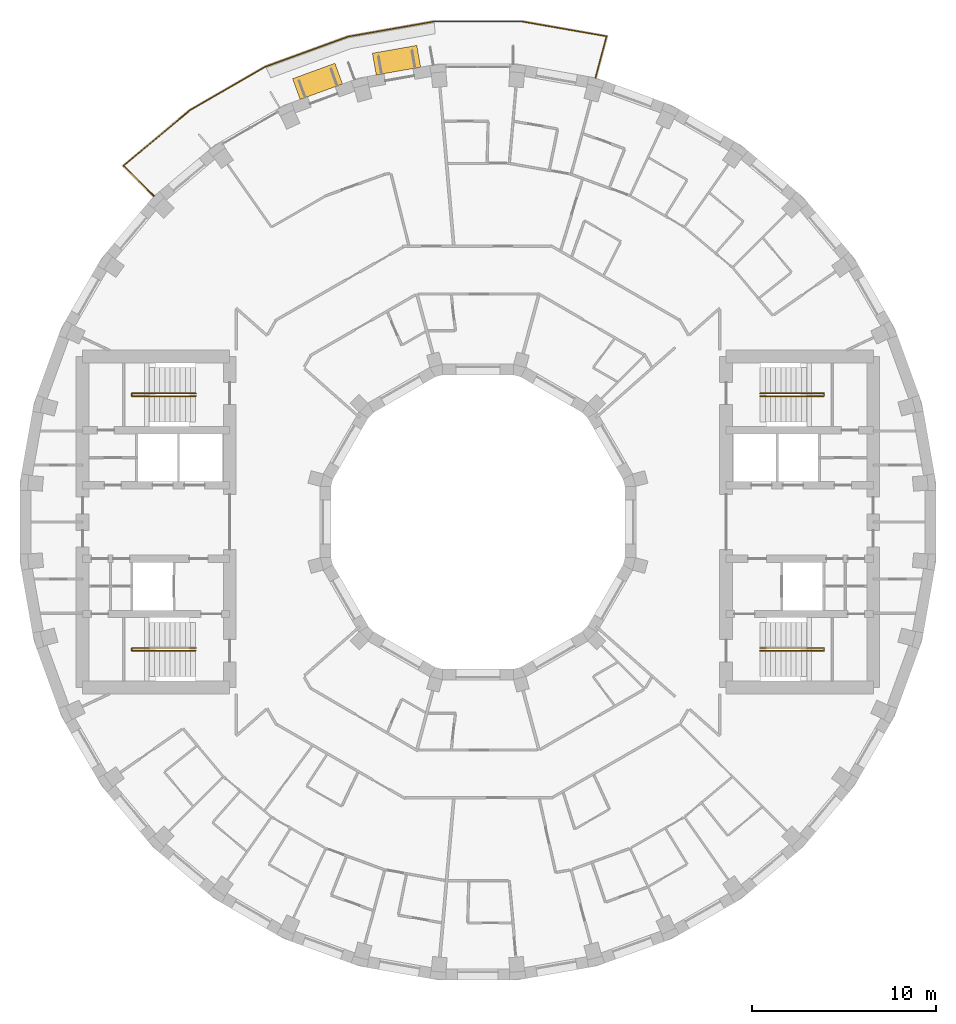
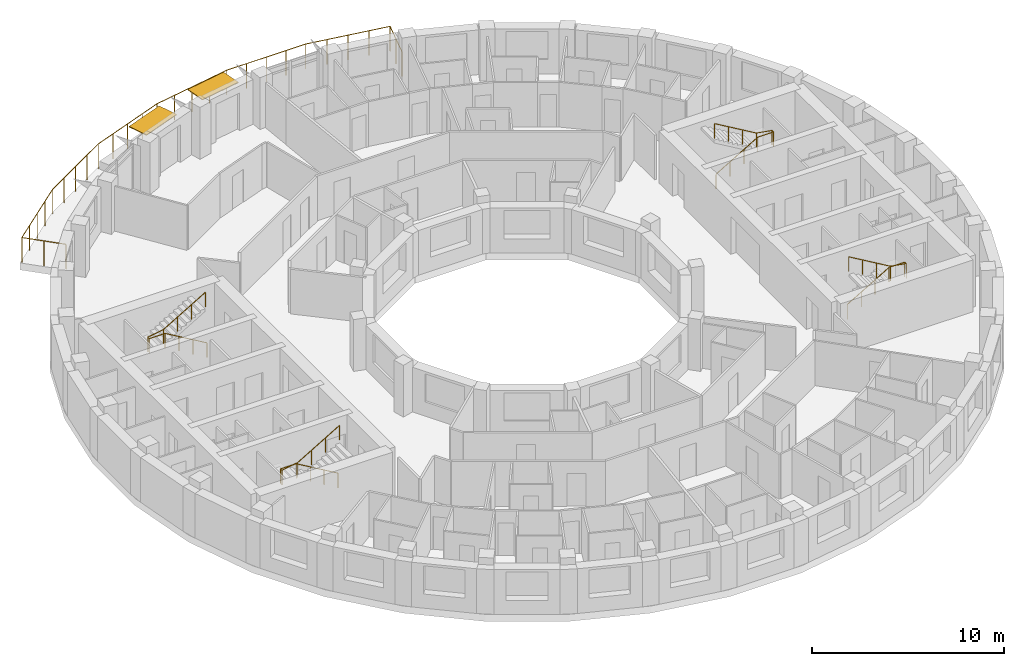
# One storey, part 14 of 14: 5 railings, 2 shading devices.
"""IFC4 building model written with IfcOpenShell, lengths in metres."""

from ifc_helpers import new_model, si_unit, direction, frame, origin, origin_2d, place, context, subcontext, project, spatial, rectangle, circle, extrude, material, layer, layer_set, type_object, element, save


model = new_model("IFC4")

# Units and contexts
model_context = context("Model", 3, precision=1e-05, world=origin(), true_north=direction((0.0, 1.0)))
body_context = subcontext(model_context, "Body", "Model", "MODEL_VIEW")
ifc_project = project(units=[si_unit("LENGTHUNIT", "METRE"), si_unit("AREAUNIT", "SQUARE_METRE"), si_unit("VOLUMEUNIT", "CUBIC_METRE"), si_unit("PLANEANGLEUNIT", "RADIAN"), si_unit("MASSUNIT", "GRAM", prefix="KILO")], contexts=[model_context])

# Site, building, storey
site_placement = place(None, origin())
site = spatial("IfcSite", under=ifc_project, at=site_placement, CompositionType="ELEMENT")
building_placement = place(site_placement, origin())
building = spatial("IfcBuilding", under=site, at=building_placement, Name="Saqina Gate Tower", CompositionType="ELEMENT")
storey_placement = place(building_placement, frame((0.0, 0.0, 210.300048828125)))
storey = spatial("IfcBuildingStorey", under=building, at=storey_placement, Name="L60", CompositionType="ELEMENT", Elevation=210.300048828125)

# Shading devices
ifc_material_1 = material(Name="Aluminium and fabric awning", Category="aluminium")
ifc_layer = layer(ifc_material_1, 0.050048828125)
ifc_layer_set = layer_set([ifc_layer], Name="AW-TERRACE")
shading_device_type = type_object("IfcShadingDeviceType", Name="AW-TERRACE", PredefinedType="AWNING", material=ifc_layer_set)
for number, where, z_axis, x_axis, name in (
    (1, (-4.428955078125, 25.117431640625, 2.52490234375), (0.0, 0.0, 1.0), (-0.984807753012, -0.173648177667, 0.0), "Terrace awning L60 facet 10"),
    (2, (-8.72314453125, 23.966796875, 2.52490234375), (0.0, 0.0, 1.0), (-0.939692620786, -0.342020143326, 0.0), "Terrace awning L60 facet 11"),
):
    element("IfcShadingDevice", number, at=place(storey_placement, frame(where, z_axis=z_axis, x_axis=x_axis)), inside=storey, type_object=shading_device_type, Name=name, PredefinedType="AWNING", context=body_context, shape_type="SweptSolid", body=[
        extrude(rectangle(XDim=2.44970703125, YDim=1.199951171875, at=origin_2d()), origin(), (0.0, 0.0, 1.0), 0.050048828125),
    ])

# Railings
ifc_material_2 = material(Name="Stainless steel", Category="steel")
railing_type_1 = type_object("IfcRailingType", Name="RL-TERRACE", PredefinedType="GUARDRAIL", material=ifc_material_2)
railing_1_placement = place(storey_placement, frame((6.377685546875, 24.11083984375, 0.0)))
element("IfcRailing", 3, at=railing_1_placement, inside=storey, type_object=railing_type_1, Name="Terrace guard L60", PredefinedType="GUARDRAIL", context=body_context, shape_type="SweptSolid", body=[
    extrude(circle(Radius=0.02392578125, at=origin_2d()), frame((0.0, 0.0, 1.576171875), z_axis=(0.258851866296, 0.965917031279, 0.0), x_axis=(-0.965917031279, 0.258851866296, 0.0)), (0.0, 0.0, 1.0), 2.38916015625),
    extrude(circle(Radius=0.02392578125, at=origin_2d()), frame((0.618408203125, 2.3076171875, 1.576171875), z_axis=(-0.985070265823, 0.17215275598, 0.0), x_axis=(-0.17215275598, -0.985070265823, 0.0)), (0.0, 0.0, 1.0), 4.68408203125),
    extrude(circle(Radius=0.02392578125, at=origin_2d()), frame((-3.995849609375, 3.114013671875, 1.576171875), z_axis=(-1.0, 0.0, 0.0), x_axis=(0.0, -1.0, 0.0)), (0.0, 0.0, 1.0), 4.763671875),
    extrude(circle(Radius=0.02392578125, at=origin_2d()), frame((-8.759521484375, 3.114013671875, 1.576171875), z_axis=(-0.98481037568, -0.173633303123, 0.0), x_axis=(0.173633303123, -0.98481037568, 0.0)), (0.0, 0.0, 1.0), 4.763671875),
    extrude(circle(Radius=0.02392578125, at=origin_2d()), frame((-13.450927734375, 2.286865234375, 1.576171875), z_axis=(-0.939688638318, -0.342031084868, 0.0), x_axis=(0.342031084868, -0.939688638318, 0.0)), (0.0, 0.0, 1.0), 4.763916015625),
    extrude(circle(Radius=0.02392578125, at=origin_2d()), frame((-17.927490234375, 0.657470703125, 1.576171875), z_axis=(-0.866026842905, -0.499997507361, 0.0), x_axis=(0.499997507361, -0.866026842905, 0.0)), (0.0, 0.0, 1.0), 4.763671875),
    extrude(circle(Radius=0.02392578125, at=origin_2d()), frame((-22.052978515625, -1.724365234375, 1.576171875), z_axis=(-0.767002243016, -0.641644418045, 0.0), x_axis=(0.641644418045, -0.767002243016, 0.0)), (0.0, 0.0, 1.0), 4.683837890625),
    extrude(circle(Radius=0.02392578125, at=origin_2d()), frame((-25.6455078125, -4.729736328125, 1.576171875), z_axis=(0.707106781187, -0.707106781187, 0.0), x_axis=(0.707106781187, 0.707106781187, 0.0)), (0.0, 0.0, 1.0), 2.388916015625),
    extrude(circle(Radius=0.02099609375, at=origin_2d()), origin(), (0.0, 0.0, 1.0), 1.552001953125),
    extrude(circle(Radius=0.02099609375, at=origin_2d()), frame((0.30908203125, 1.15380859375, 0.0)), (0.0, 0.0, 1.0), 1.552001953125),
    extrude(circle(Radius=0.02099609375, at=origin_2d()), frame((0.618408203125, 2.3076171875, 0.0)), (0.0, 0.0, 1.0), 1.552001953125),
    extrude(circle(Radius=0.02099609375, at=origin_2d()), frame((-0.53515625, 2.50927734375, 0.0)), (0.0, 0.0, 1.0), 1.552001953125),
    extrude(circle(Radius=0.02099609375, at=origin_2d()), frame((-1.688720703125, 2.7109375, 0.0)), (0.0, 0.0, 1.0), 1.552001953125),
    extrude(circle(Radius=0.02099609375, at=origin_2d()), frame((-2.84228515625, 2.912353515625, 0.0)), (0.0, 0.0, 1.0), 1.552001953125),
    extrude(circle(Radius=0.02099609375, at=origin_2d()), frame((-3.995849609375, 3.114013671875, 0.0)), (0.0, 0.0, 1.0), 1.552001953125),
    extrude(circle(Radius=0.02099609375, at=origin_2d()), frame((-5.186767578125, 3.114013671875, 0.0)), (0.0, 0.0, 1.0), 1.552001953125),
    extrude(circle(Radius=0.02099609375, at=origin_2d()), frame((-6.377685546875, 3.114013671875, 0.0)), (0.0, 0.0, 1.0), 1.552001953125),
    extrude(circle(Radius=0.02099609375, at=origin_2d()), frame((-7.568603515625, 3.114013671875, 0.0)), (0.0, 0.0, 1.0), 1.552001953125),
    extrude(circle(Radius=0.02099609375, at=origin_2d()), frame((-8.759521484375, 3.114013671875, 0.0)), (0.0, 0.0, 1.0), 1.552001953125),
    extrude(circle(Radius=0.02099609375, at=origin_2d()), frame((-9.932373046875, 2.9072265625, 0.0)), (0.0, 0.0, 1.0), 1.552001953125),
    extrude(circle(Radius=0.02099609375, at=origin_2d()), frame((-11.105224609375, 2.700439453125, 0.0)), (0.0, 0.0, 1.0), 1.552001953125),
    extrude(circle(Radius=0.02099609375, at=origin_2d()), frame((-12.278076171875, 2.49365234375, 0.0)), (0.0, 0.0, 1.0), 1.552001953125),
    extrude(circle(Radius=0.02099609375, at=origin_2d()), frame((-13.450927734375, 2.286865234375, 0.0)), (0.0, 0.0, 1.0), 1.552001953125),
    extrude(circle(Radius=0.02099609375, at=origin_2d()), frame((-14.570068359375, 1.87939453125, 0.0)), (0.0, 0.0, 1.0), 1.552001953125),
    extrude(circle(Radius=0.02099609375, at=origin_2d()), frame((-15.689208984375, 1.47216796875, 0.0)), (0.0, 0.0, 1.0), 1.552001953125),
    extrude(circle(Radius=0.02099609375, at=origin_2d()), frame((-16.808349609375, 1.06494140625, 0.0)), (0.0, 0.0, 1.0), 1.552001953125),
    extrude(circle(Radius=0.02099609375, at=origin_2d()), frame((-17.927490234375, 0.657470703125, 0.0)), (0.0, 0.0, 1.0), 1.552001953125),
    extrude(circle(Radius=0.02099609375, at=origin_2d()), frame((-18.958984375, 0.06201171875, 0.0)), (0.0, 0.0, 1.0), 1.552001953125),
    extrude(circle(Radius=0.02099609375, at=origin_2d()), frame((-19.990234375, -0.533447265625, 0.0)), (0.0, 0.0, 1.0), 1.552001953125),
    extrude(circle(Radius=0.02099609375, at=origin_2d()), frame((-21.021484375, -1.12890625, 0.0)), (0.0, 0.0, 1.0), 1.552001953125),
    extrude(circle(Radius=0.02099609375, at=origin_2d()), frame((-22.052978515625, -1.724365234375, 0.0)), (0.0, 0.0, 1.0), 1.552001953125),
    extrude(circle(Radius=0.02099609375, at=origin_2d()), frame((-22.951171875, -2.4755859375, 0.0)), (0.0, 0.0, 1.0), 1.552001953125),
    extrude(circle(Radius=0.02099609375, at=origin_2d()), frame((-23.84912109375, -3.22705078125, 0.0)), (0.0, 0.0, 1.0), 1.552001953125),
    extrude(circle(Radius=0.02099609375, at=origin_2d()), frame((-24.747314453125, -3.978515625, 0.0)), (0.0, 0.0, 1.0), 1.552001953125),
    extrude(circle(Radius=0.02099609375, at=origin_2d()), frame((-25.6455078125, -4.729736328125, 0.0)), (0.0, 0.0, 1.0), 1.552001953125),
    extrude(circle(Radius=0.02099609375, at=origin_2d()), frame((-24.80078125, -5.57421875, 0.0)), (0.0, 0.0, 1.0), 1.552001953125),
    extrude(circle(Radius=0.02099609375, at=origin_2d()), frame((-23.956298828125, -6.4189453125, 0.0)), (0.0, 0.0, 1.0), 1.552001953125),
])
ifc_material_3 = material(Name="Stainless steel", Category="steel")
railing_type_2 = type_object("IfcRailingType", Name="STAIR HANDRAIL", PredefinedType="HANDRAIL", material=ifc_material_3)
railing_2_placement = place(storey_placement, frame((15.35009765625, 6.85009765625, 0.1650390625)))
element("IfcRailing", 4, at=railing_2_placement, inside=storey, type_object=railing_type_2, Name="EXIT STAIR 1 HANDRAIL", PredefinedType="HANDRAIL", context=body_context, shape_type="SweptSolid", body=[
    extrude(circle(Radius=0.02392578125, at=origin_2d()), frame((0.0, 0.0, 0.92578125), z_axis=(0.861560626758, 0.0, 0.507654692109), x_axis=(0.0, 1.0, 0.0)), (0.0, 0.0, 1.0), 2.925048828125),
    extrude(circle(Radius=0.02392578125, at=origin_2d()), frame((2.52001953125, 0.0, 2.41064453125), z_axis=(1.0, 0.0, 0.0), x_axis=(0.0, 1.0, 0.0)), (0.0, 0.0, 1.0), 0.949951171875),
    extrude(circle(Radius=0.02392578125, at=origin_2d()), frame((3.469970703125, 0.0, 2.41064453125), z_axis=(0.0, 1.0, 0.0), x_axis=(-1.0, 0.0, 0.0)), (0.0, 0.0, 1.0), 0.14990234375),
    extrude(circle(Radius=0.02392578125, at=origin_2d()), frame((3.469970703125, 0.14990234375, 2.41064453125), z_axis=(-0.985241474778, 0.0, 0.171170197109), x_axis=(0.0, -1.0, 0.0)), (0.0, 0.0, 1.0), 0.964111328125),
    extrude(circle(Radius=0.02392578125, at=origin_2d()), frame((2.52001953125, 0.14990234375, 2.57568359375), z_axis=(-0.86152411907, 0.0, 0.507716645641), x_axis=(0.0, -1.0, 0.0)), (0.0, 0.0, 1.0), 2.925048828125),
    extrude(circle(Radius=0.02099609375, at=origin_2d()), origin(), (0.0, 0.0, 1.0), 0.90185546875),
    extrude(circle(Radius=0.02099609375, at=origin_2d()), frame((0.840087890625, 0.0, 0.494873046875)), (0.0, 0.0, 1.0), 0.90185546875),
    extrude(circle(Radius=0.02099609375, at=origin_2d()), frame((1.679931640625, 0.0, 0.989990234375)), (0.0, 0.0, 1.0), 0.90185546875),
    extrude(circle(Radius=0.02099609375, at=origin_2d()), frame((2.52001953125, 0.0, 1.48486328125)), (0.0, 0.0, 1.0), 0.90185546875),
    extrude(circle(Radius=0.02099609375, at=origin_2d()), frame((3.469970703125, 0.0, 1.48486328125)), (0.0, 0.0, 1.0), 0.90185546875),
    extrude(circle(Radius=0.02099609375, at=origin_2d()), frame((3.469970703125, 0.14990234375, 1.48486328125)), (0.0, 0.0, 1.0), 0.90185546875),
    extrude(circle(Radius=0.02099609375, at=origin_2d()), frame((2.52001953125, 0.14990234375, 1.64990234375)), (0.0, 0.0, 1.0), 0.90185546875),
    extrude(circle(Radius=0.02099609375, at=origin_2d()), frame((1.679931640625, 0.14990234375, 2.14501953125)), (0.0, 0.0, 1.0), 0.90185546875),
    extrude(circle(Radius=0.02099609375, at=origin_2d()), frame((0.840087890625, 0.14990234375, 2.639892578125)), (0.0, 0.0, 1.0), 0.90185546875),
    extrude(circle(Radius=0.02099609375, at=origin_2d()), frame((0.0, 0.14990234375, 3.135009765625)), (0.0, 0.0, 1.0), 0.90185546875),
])
railing_3_placement = place(storey_placement, frame((15.35009765625, -6.85009765625, 0.1650390625)))
element("IfcRailing", 5, at=railing_3_placement, inside=storey, type_object=railing_type_2, Name="EXIT STAIR 2 HANDRAIL", PredefinedType="HANDRAIL", context=body_context, shape_type="SweptSolid", body=[
    extrude(circle(Radius=0.02392578125, at=origin_2d()), frame((0.0, 0.0, 0.92578125), z_axis=(0.861560626758, 0.0, 0.507654692109), x_axis=(0.0, 1.0, 0.0)), (0.0, 0.0, 1.0), 2.925048828125),
    extrude(circle(Radius=0.02392578125, at=origin_2d()), frame((2.52001953125, 0.0, 2.41064453125), z_axis=(1.0, 0.0, 0.0), x_axis=(0.0, 1.0, 0.0)), (0.0, 0.0, 1.0), 0.949951171875),
    extrude(circle(Radius=0.02392578125, at=origin_2d()), frame((3.469970703125, 0.0, 2.41064453125), z_axis=(0.0, -1.0, 0.0), x_axis=(1.0, 0.0, 0.0)), (0.0, 0.0, 1.0), 0.14990234375),
    extrude(circle(Radius=0.02392578125, at=origin_2d()), frame((3.469970703125, -0.14990234375, 2.41064453125), z_axis=(-0.985241474778, 0.0, 0.171170197109), x_axis=(0.0, -1.0, 0.0)), (0.0, 0.0, 1.0), 0.964111328125),
    extrude(circle(Radius=0.02392578125, at=origin_2d()), frame((2.52001953125, -0.14990234375, 2.57568359375), z_axis=(-0.86152411907, 0.0, 0.507716645641), x_axis=(0.0, -1.0, 0.0)), (0.0, 0.0, 1.0), 2.925048828125),
    extrude(circle(Radius=0.02099609375, at=origin_2d()), origin(), (0.0, 0.0, 1.0), 0.90185546875),
    extrude(circle(Radius=0.02099609375, at=origin_2d()), frame((0.840087890625, 0.0, 0.494873046875)), (0.0, 0.0, 1.0), 0.90185546875),
    extrude(circle(Radius=0.02099609375, at=origin_2d()), frame((1.679931640625, 0.0, 0.989990234375)), (0.0, 0.0, 1.0), 0.90185546875),
    extrude(circle(Radius=0.02099609375, at=origin_2d()), frame((2.52001953125, 0.0, 1.48486328125)), (0.0, 0.0, 1.0), 0.90185546875),
    extrude(circle(Radius=0.02099609375, at=origin_2d()), frame((3.469970703125, 0.0, 1.48486328125)), (0.0, 0.0, 1.0), 0.90185546875),
    extrude(circle(Radius=0.02099609375, at=origin_2d()), frame((3.469970703125, -0.14990234375, 1.48486328125)), (0.0, 0.0, 1.0), 0.90185546875),
    extrude(circle(Radius=0.02099609375, at=origin_2d()), frame((2.52001953125, -0.14990234375, 1.64990234375)), (0.0, 0.0, 1.0), 0.90185546875),
    extrude(circle(Radius=0.02099609375, at=origin_2d()), frame((1.679931640625, -0.14990234375, 2.14501953125)), (0.0, 0.0, 1.0), 0.90185546875),
    extrude(circle(Radius=0.02099609375, at=origin_2d()), frame((0.840087890625, -0.14990234375, 2.639892578125)), (0.0, 0.0, 1.0), 0.90185546875),
    extrude(circle(Radius=0.02099609375, at=origin_2d()), frame((0.0, -0.14990234375, 3.135009765625)), (0.0, 0.0, 1.0), 0.90185546875),
])
railing_4_placement = place(storey_placement, frame((-15.35009765625, 6.85009765625, 0.1650390625)))
element("IfcRailing", 6, at=railing_4_placement, inside=storey, type_object=railing_type_2, Name="EXIT STAIR 3 HANDRAIL", PredefinedType="HANDRAIL", context=body_context, shape_type="SweptSolid", body=[
    extrude(circle(Radius=0.02392578125, at=origin_2d()), frame((0.0, 0.0, 0.92578125), z_axis=(-0.861560626758, 0.0, 0.507654692109), x_axis=(0.0, -1.0, 0.0)), (0.0, 0.0, 1.0), 2.925048828125),
    extrude(circle(Radius=0.02392578125, at=origin_2d()), frame((-2.52001953125, 0.0, 2.41064453125), z_axis=(-1.0, 0.0, 0.0), x_axis=(0.0, -1.0, 0.0)), (0.0, 0.0, 1.0), 0.949951171875),
    extrude(circle(Radius=0.02392578125, at=origin_2d()), frame((-3.469970703125, 0.0, 2.41064453125), z_axis=(0.0, 1.0, 0.0), x_axis=(-1.0, 0.0, 0.0)), (0.0, 0.0, 1.0), 0.14990234375),
    extrude(circle(Radius=0.02392578125, at=origin_2d()), frame((-3.469970703125, 0.14990234375, 2.41064453125), z_axis=(0.985241474778, 0.0, 0.171170197109), x_axis=(0.0, 1.0, 0.0)), (0.0, 0.0, 1.0), 0.964111328125),
    extrude(circle(Radius=0.02392578125, at=origin_2d()), frame((-2.52001953125, 0.14990234375, 2.57568359375), z_axis=(0.86152411907, 0.0, 0.507716645641), x_axis=(0.0, 1.0, 0.0)), (0.0, 0.0, 1.0), 2.925048828125),
    extrude(circle(Radius=0.02099609375, at=origin_2d()), origin(), (0.0, 0.0, 1.0), 0.90185546875),
    extrude(circle(Radius=0.02099609375, at=origin_2d()), frame((-0.840087890625, 0.0, 0.494873046875)), (0.0, 0.0, 1.0), 0.90185546875),
    extrude(circle(Radius=0.02099609375, at=origin_2d()), frame((-1.679931640625, 0.0, 0.989990234375)), (0.0, 0.0, 1.0), 0.90185546875),
    extrude(circle(Radius=0.02099609375, at=origin_2d()), frame((-2.52001953125, 0.0, 1.48486328125)), (0.0, 0.0, 1.0), 0.90185546875),
    extrude(circle(Radius=0.02099609375, at=origin_2d()), frame((-3.469970703125, 0.0, 1.48486328125)), (0.0, 0.0, 1.0), 0.90185546875),
    extrude(circle(Radius=0.02099609375, at=origin_2d()), frame((-3.469970703125, 0.14990234375, 1.48486328125)), (0.0, 0.0, 1.0), 0.90185546875),
    extrude(circle(Radius=0.02099609375, at=origin_2d()), frame((-2.52001953125, 0.14990234375, 1.64990234375)), (0.0, 0.0, 1.0), 0.90185546875),
    extrude(circle(Radius=0.02099609375, at=origin_2d()), frame((-1.679931640625, 0.14990234375, 2.14501953125)), (0.0, 0.0, 1.0), 0.90185546875),
    extrude(circle(Radius=0.02099609375, at=origin_2d()), frame((-0.840087890625, 0.14990234375, 2.639892578125)), (0.0, 0.0, 1.0), 0.90185546875),
    extrude(circle(Radius=0.02099609375, at=origin_2d()), frame((0.0, 0.14990234375, 3.135009765625)), (0.0, 0.0, 1.0), 0.90185546875),
])
railing_5_placement = place(storey_placement, frame((-15.35009765625, -6.85009765625, 0.1650390625)))
element("IfcRailing", 7, at=railing_5_placement, inside=storey, type_object=railing_type_2, Name="EXIT STAIR 4 HANDRAIL", PredefinedType="HANDRAIL", context=body_context, shape_type="SweptSolid", body=[
    extrude(circle(Radius=0.02392578125, at=origin_2d()), frame((0.0, 0.0, 0.92578125), z_axis=(-0.861560626758, 0.0, 0.507654692109), x_axis=(0.0, -1.0, 0.0)), (0.0, 0.0, 1.0), 2.925048828125),
    extrude(circle(Radius=0.02392578125, at=origin_2d()), frame((-2.52001953125, 0.0, 2.41064453125), z_axis=(-1.0, 0.0, 0.0), x_axis=(0.0, -1.0, 0.0)), (0.0, 0.0, 1.0), 0.949951171875),
    extrude(circle(Radius=0.02392578125, at=origin_2d()), frame((-3.469970703125, 0.0, 2.41064453125), z_axis=(0.0, -1.0, 0.0), x_axis=(1.0, 0.0, 0.0)), (0.0, 0.0, 1.0), 0.14990234375),
    extrude(circle(Radius=0.02392578125, at=origin_2d()), frame((-3.469970703125, -0.14990234375, 2.41064453125), z_axis=(0.985241474778, 0.0, 0.171170197109), x_axis=(0.0, 1.0, 0.0)), (0.0, 0.0, 1.0), 0.964111328125),
    extrude(circle(Radius=0.02392578125, at=origin_2d()), frame((-2.52001953125, -0.14990234375, 2.57568359375), z_axis=(0.86152411907, 0.0, 0.507716645641), x_axis=(0.0, 1.0, 0.0)), (0.0, 0.0, 1.0), 2.925048828125),
    extrude(circle(Radius=0.02099609375, at=origin_2d()), origin(), (0.0, 0.0, 1.0), 0.90185546875),
    extrude(circle(Radius=0.02099609375, at=origin_2d()), frame((-0.840087890625, 0.0, 0.494873046875)), (0.0, 0.0, 1.0), 0.90185546875),
    extrude(circle(Radius=0.02099609375, at=origin_2d()), frame((-1.679931640625, 0.0, 0.989990234375)), (0.0, 0.0, 1.0), 0.90185546875),
    extrude(circle(Radius=0.02099609375, at=origin_2d()), frame((-2.52001953125, 0.0, 1.48486328125)), (0.0, 0.0, 1.0), 0.90185546875),
    extrude(circle(Radius=0.02099609375, at=origin_2d()), frame((-3.469970703125, 0.0, 1.48486328125)), (0.0, 0.0, 1.0), 0.90185546875),
    extrude(circle(Radius=0.02099609375, at=origin_2d()), frame((-3.469970703125, -0.14990234375, 1.48486328125)), (0.0, 0.0, 1.0), 0.90185546875),
    extrude(circle(Radius=0.02099609375, at=origin_2d()), frame((-2.52001953125, -0.14990234375, 1.64990234375)), (0.0, 0.0, 1.0), 0.90185546875),
    extrude(circle(Radius=0.02099609375, at=origin_2d()), frame((-1.679931640625, -0.14990234375, 2.14501953125)), (0.0, 0.0, 1.0), 0.90185546875),
    extrude(circle(Radius=0.02099609375, at=origin_2d()), frame((-0.840087890625, -0.14990234375, 2.639892578125)), (0.0, 0.0, 1.0), 0.90185546875),
    extrude(circle(Radius=0.02099609375, at=origin_2d()), frame((0.0, -0.14990234375, 3.135009765625)), (0.0, 0.0, 1.0), 0.90185546875),
])

save(model, "model.ifc")
